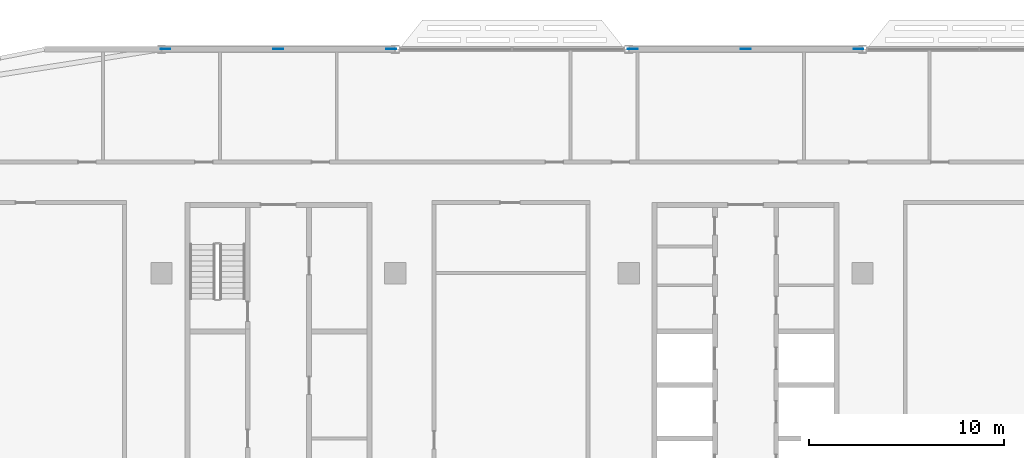
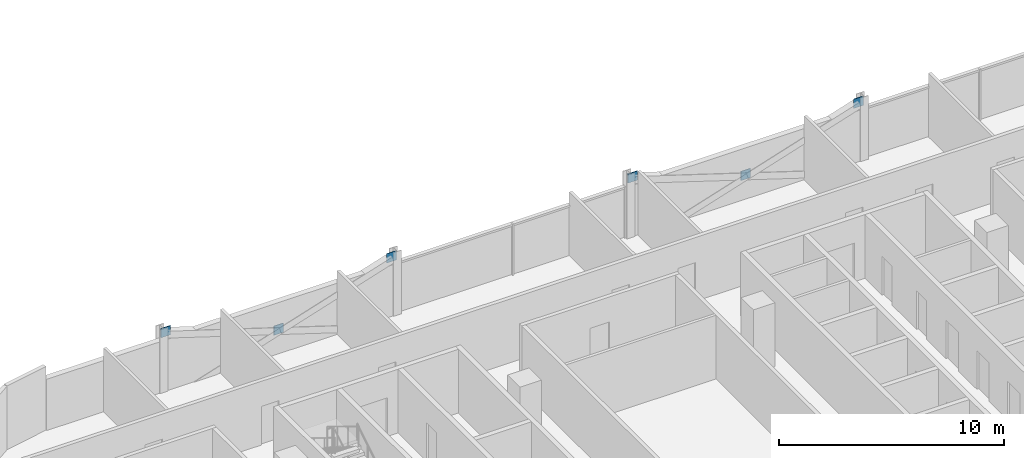
# One storey, part 22 of 30: 6 discrete accessories.
"""IFC4 building model written with IfcOpenShell, lengths in metres."""

from ifc_helpers import new_model, si_unit, direction, frame, origin, origin_2d, place, context, subcontext, project, spatial, rectangle, extrude, material, layer, layer_set, type_object, element, save


model = new_model("IFC4")

# Units and contexts
model_context = context("Model", 3, precision=1e-05, world=origin(), true_north=direction((0.0, 1.0)))
body_context = subcontext(model_context, "Body", "Model", "MODEL_VIEW")
ifc_project = project(units=[si_unit("LENGTHUNIT", "METRE"), si_unit("AREAUNIT", "SQUARE_METRE"), si_unit("VOLUMEUNIT", "CUBIC_METRE"), si_unit("PLANEANGLEUNIT", "RADIAN"), si_unit("MASSUNIT", "GRAM", prefix="KILO")], contexts=[model_context])

# Site, building, storey
site_placement = place(None, origin())
site = spatial("IfcSite", under=ifc_project, at=site_placement, CompositionType="ELEMENT")
building_placement = place(site_placement, origin())
building = spatial("IfcBuilding", under=site, at=building_placement, Name="Mahtab Terrace Research Tower", CompositionType="ELEMENT")
storey_placement = place(building_placement, frame((0.0, 0.0, 205.300048828125)))
storey = spatial("IfcBuildingStorey", under=building, at=storey_placement, Name="L49", CompositionType="ELEMENT", Elevation=205.300048828125)

# Discrete accessories
ifc_material = material(Name="Steel ASTM A992 Gr 50", Category="steel")
ifc_layer = layer(ifc_material, 0.030029296875)
ifc_layer_set = layer_set([ifc_layer], Name="Gusset plate 500x500x30")
discrete_accessory_type = type_object("IfcDiscreteAccessoryType", Name="Gusset plate 500x500x30", PredefinedType="USERDEFINED", material=ifc_layer_set)
for number, where, z_axis, x_axis, name in (
    (1, (-29.79931640625, 23.0, 2.870849609375), (0.0, 0.0, 1.0), (1.0, 0.0, 0.0), "Gusset plate"),
    (2, (-24.0, 23.0, 0.970947265625), (0.0, 0.0, 1.0), (1.0, 0.0, 0.0), "Gusset plate"),
    (3, (-18.20068359375, 23.0, 2.870849609375), (0.0, 0.0, 1.0), (1.0, 0.0, 0.0), "Gusset plate"),
    (4, (-5.79931640625, 23.0, 2.870849609375), (0.0, 0.0, 1.0), (1.0, 0.0, 0.0), "Gusset plate"),
    (5, (0.0, 23.0, 0.970947265625), (0.0, 0.0, 1.0), (1.0, 0.0, 0.0), "Gusset plate"),
    (6, (5.79931640625, 23.0, 2.870849609375), (0.0, 0.0, 1.0), (1.0, 0.0, 0.0), "Gusset plate"),
):
    element("IfcDiscreteAccessory", number, at=place(storey_placement, frame(where, z_axis=z_axis, x_axis=x_axis)), inside=storey, type_object=discrete_accessory_type, Name=name, ObjectType="GUSSET PLATE", PredefinedType="USERDEFINED", context=body_context, shape_type="SweptSolid", body=[
        extrude(rectangle(XDim=0.5, YDim=0.030029296875, at=origin_2d()), origin(), (0.0, 0.0, 1.0), 0.5),
    ])

save(model, "model.ifc")
